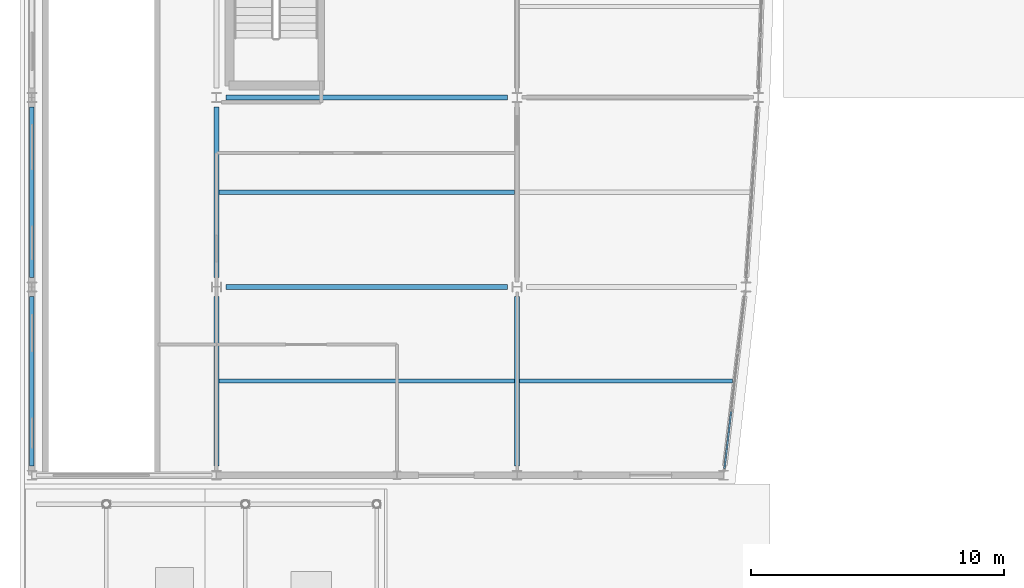
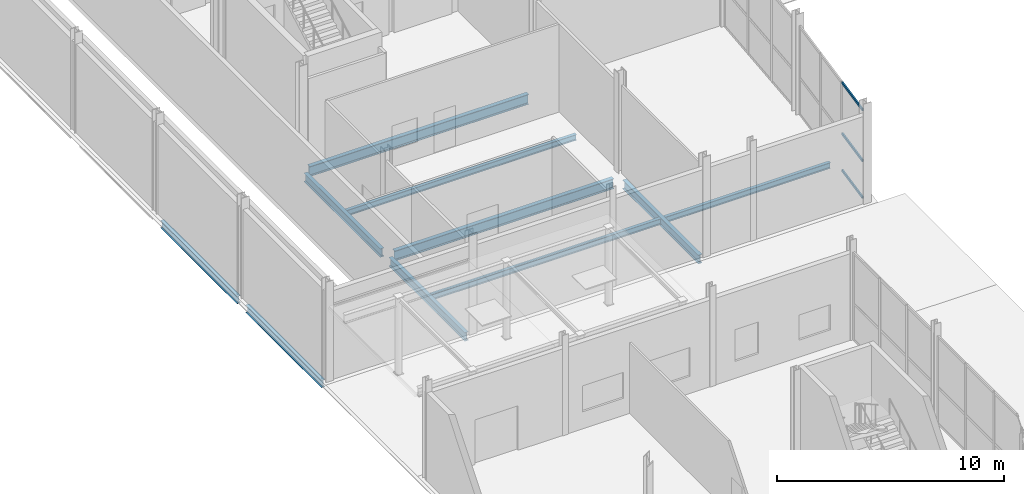
# One storey, part 24 of 83: 10 beams, 3 members, 1 element without a shape of its own.
"""IFC4 building model written with IfcOpenShell, lengths in metres."""

from ifc_helpers import new_model, si_unit, direction, frame, origin, origin_2d, place, context, subcontext, project, spatial, hollow_rectangle, i_section, extrude, material, layer, layer_set, material_profile, profile_set, type_object, element, aggregate, save


model = new_model("IFC4")

# Units and contexts
model_context = context("Model", 3, precision=1e-05, world=origin(), true_north=direction((0.0, 1.0)))
body_context = subcontext(model_context, "Body", "Model", "MODEL_VIEW")
ifc_project = project(units=[si_unit("LENGTHUNIT", "METRE"), si_unit("AREAUNIT", "SQUARE_METRE"), si_unit("VOLUMEUNIT", "CUBIC_METRE"), si_unit("PLANEANGLEUNIT", "RADIAN"), si_unit("MASSUNIT", "GRAM", prefix="KILO")], contexts=[model_context])

# Site, building, storey
site_placement = place(None, origin())
site = spatial("IfcSite", under=ifc_project, at=site_placement, CompositionType="ELEMENT")
building_placement = place(site_placement, origin())
building = spatial("IfcBuilding", under=site, at=building_placement, Name="Quillay Park Conservatory", CompositionType="ELEMENT")
storey_placement = place(building_placement, origin())
storey = spatial("IfcBuildingStorey", under=building, at=storey_placement, Name="L00", CompositionType="ELEMENT", Elevation=0.0)

# Beams
ifc_material_1 = material(Name="Steel ASTM A992 Grade 50", Category="steel")
ifc_material_profile_1 = material_profile(ifc_material_1, i_section(OverallWidth=0.166015625, OverallDepth=0.31298828125, WebThickness=0.006591796875, FlangeThickness=0.01123046875, FilletRadius=0.010009765625, at=origin_2d()), Name="W310x45")
ifc_profile_set_1 = profile_set([ifc_material_profile_1], Name="Steel ASTM A992 Grade 50")
beam_type_1 = type_object("IfcBeamType", Name="COMPOSITE FLOOR JOIST W310 X45", PredefinedType="JOIST", material=ifc_profile_set_1)
beam_1_placement = place(storey_placement, frame((19.845947265625, 66.77490234375, -0.406494140625), z_axis=(1.0, 0.0, 0.0), x_axis=(0.0, 1.0, 0.0)))
element("IfcBeam", 1, at=beam_1_placement, inside=storey, type_object=beam_type_1, Name="L00 beam BM-J-0071", PredefinedType="JOIST", context=body_context, shape_type="SweptSolid", body=[
    extrude(i_section(OverallWidth=0.166015625, OverallDepth=0.31298828125, WebThickness=0.006591796875, FlangeThickness=0.01123046875, FilletRadius=0.010009765625, at=origin_2d()), origin(), (0.0, 0.0, 1.0), 8.426513671875),
])
for number, where, z_axis, x_axis, name in (
    (2, (7.946044921875, 66.77490234375, -0.406494140625), (1.0, 0.0, 0.0), (0.0, 1.0, 0.0), "L00 beam BM-J-0072"),
    (3, (7.946044921875, 74.25, -0.406494140625), (1.0, 0.0, 0.0), (0.0, 1.0, 0.0), "L00 beam BM-J-0078"),
):
    element("IfcBeam", number, at=place(storey_placement, frame(where, z_axis=z_axis, x_axis=x_axis)), inside=storey, type_object=beam_type_1, Name=name, PredefinedType="JOIST", context=body_context, shape_type="SweptSolid", body=[
        extrude(i_section(OverallWidth=0.166015625, OverallDepth=0.31298828125, WebThickness=0.006591796875, FlangeThickness=0.01123046875, FilletRadius=0.010009765625, at=origin_2d()), origin(), (0.0, 0.0, 1.0), 11.7080078125),
    ])

# Curtain wall, members
ifc_material_2 = material(Name="Thermally Broken Anodised Aluminium 6063-T6", Category="aluminium")
ifc_layer = layer(ifc_material_2, 0.179931640625)
ifc_layer_set = layer_set([ifc_layer], Name="UNITISED CURTAIN WALL TOWER (Thermally Broken Anodised Aluminium 6063-T6)")
curtain_wall_type = type_object("IfcCurtainWallType", Name="UNITISED CURTAIN WALL TOWER", PredefinedType="USERDEFINED", material=ifc_layer_set)
curtain_wall_placement = place(storey_placement, origin())
curtain_wall = element("IfcCurtainWall", 4, at=curtain_wall_placement, inside=storey, type_object=curtain_wall_type, Name="L00 Unitised Curtain Wall 001", ObjectType="UNITISED CURTAIN WALL", PredefinedType="USERDEFINED")
ifc_material_3 = material(Name="Thermally Broken Anodised Aluminium 6063-T6", Category="aluminium")
ifc_material_profile_2 = material_profile(ifc_material_3, hollow_rectangle(XDim=0.070068359375, YDim=0.1298828125, WallThickness=0.003173828125, at=origin_2d()), Name="AL70x130x3.2")
ifc_profile_set_2 = profile_set([ifc_material_profile_2], Name="Thermally Broken Anodised Aluminium 6063-T6")
member_type = type_object("IfcMemberType", Name="CURTAIN WALL TRANSOM 70 X130", PredefinedType="USERDEFINED", material=ifc_profile_set_2)
member_1_placement = place(storey_placement, frame((28.220458984375, 65.564697265625, 0.034912109375), z_axis=(-0.116672168054, -0.993170481439, 0.0), x_axis=(0.993170481439, -0.116672168054, 0.0)))
member_1 = element("IfcMember", 5, at=member_1_placement, type_object=member_type, Name="CW-T1 transom 3.1", ObjectType="TRANSOM", PredefinedType="USERDEFINED", context=body_context, shape_type="SweptSolid", body=[
    extrude(hollow_rectangle(XDim=0.070068359375, YDim=0.1298828125, WallThickness=0.003173828125, at=origin_2d()), origin(), (0.0, 0.0, 1.0), 2.261962890625),
])
member_2_placement = place(storey_placement, frame((28.220458984375, 65.564697265625, 2.011474609375), z_axis=(-0.116672168054, -0.993170481439, 0.0), x_axis=(0.993170481439, -0.116672168054, 0.0)))
member_2 = element("IfcMember", 6, at=member_2_placement, type_object=member_type, Name="CW-T1 transom 3.2", ObjectType="TRANSOM", PredefinedType="USERDEFINED", context=body_context, shape_type="SweptSolid", body=[
    extrude(hollow_rectangle(XDim=0.070068359375, YDim=0.1298828125, WallThickness=0.003173828125, at=origin_2d()), origin(), (0.0, 0.0, 1.0), 2.261962890625),
])
member_3_placement = place(storey_placement, frame((28.220458984375, 65.564697265625, 4.75390625), z_axis=(-0.116672168054, -0.993170481439, 0.0), x_axis=(0.993170481439, -0.116672168054, 0.0)))
member_3 = element("IfcMember", 7, at=member_3_placement, type_object=member_type, Name="CW-T1 transom 3.3", ObjectType="TRANSOM", PredefinedType="USERDEFINED", context=body_context, shape_type="SweptSolid", body=[
    extrude(hollow_rectangle(XDim=0.070068359375, YDim=0.1298828125, WallThickness=0.003173828125, at=origin_2d()), origin(), (0.0, 0.0, 1.0), 2.261962890625),
])
aggregate(curtain_wall, [member_1, member_2, member_3])

# Beams
ifc_material_4 = material(Name="Steel ASTM A992 Grade 50", Category="steel")
ifc_material_profile_3 = material_profile(ifc_material_4, i_section(OverallWidth=0.179931640625, OverallDepth=0.4130859375, WebThickness=0.009765625, FlangeThickness=0.01611328125, FilletRadius=0.011962890625, at=origin_2d()), Name="W410x74")
ifc_profile_set_3 = profile_set([ifc_material_profile_3], Name="Steel ASTM A992 Grade 50")
beam_type_2 = type_object("IfcBeamType", Name="PERIMETER SPANDREL BEAM W410 X74", PredefinedType="SPANDREL", material=ifc_profile_set_3)
beam_2_placement = place(storey_placement, frame((0.550048828125, 63.425048828125, -0.45654296875), z_axis=(0.0, 1.0, 0.0), x_axis=(-1.0, 0.0, 0.0)))
element("IfcBeam", 8, at=beam_2_placement, inside=storey, type_object=beam_type_2, Name="L00 beam BM-SPW-0067", PredefinedType="SPANDREL", context=body_context, shape_type="SweptSolid", body=[
    extrude(i_section(OverallWidth=0.179931640625, OverallDepth=0.4130859375, WebThickness=0.009765625, FlangeThickness=0.01611328125, FilletRadius=0.011962890625, at=origin_2d()), origin(), (0.0, 0.0, 1.0), 6.699951171875),
])
beam_3_placement = place(storey_placement, frame((0.550048828125, 70.875, -0.45654296875), z_axis=(0.0, 1.0, 0.0), x_axis=(-1.0, 0.0, 0.0)))
element("IfcBeam", 9, at=beam_3_placement, inside=storey, type_object=beam_type_2, Name="L00 beam BM-SPW-0073", PredefinedType="SPANDREL", context=body_context, shape_type="SweptSolid", body=[
    extrude(i_section(OverallWidth=0.179931640625, OverallDepth=0.4130859375, WebThickness=0.009765625, FlangeThickness=0.01611328125, FilletRadius=0.011962890625, at=origin_2d()), origin(), (0.0, 0.0, 1.0), 6.75),
])
ifc_material_5 = material(Name="Steel ASTM A992 Grade 50", Category="steel")
ifc_material_profile_4 = material_profile(ifc_material_5, i_section(OverallWidth=0.19189453125, OverallDepth=0.462890625, WebThickness=0.010498046875, FlangeThickness=0.017578125, FilletRadius=0.012939453125, at=origin_2d()), Name="W460x89")
ifc_profile_set_4 = profile_set([ifc_material_profile_4], Name="Steel ASTM A992 Grade 50")
beam_type_3 = type_object("IfcBeamType", Name="PRIMARY FLOOR GIRDER W460 X89", PredefinedType="BEAM", material=ifc_profile_set_4)
for number, where, z_axis, x_axis, name in (
    (10, (7.85009765625, 63.425048828125, -0.4814453125), (0.0, 1.0, 0.0), (-1.0, 0.0, 0.0), "L00 beam BM-GNS-0069"),
    (11, (19.75, 63.425048828125, -0.4814453125), (0.0, 1.0, 0.0), (-1.0, 0.0, 0.0), "L00 beam BM-GNS-0070"),
):
    element("IfcBeam", number, at=place(storey_placement, frame(where, z_axis=z_axis, x_axis=x_axis)), inside=storey, type_object=beam_type_3, Name=name, PredefinedType="BEAM", context=body_context, shape_type="SweptSolid", body=[
        extrude(i_section(OverallWidth=0.19189453125, OverallDepth=0.462890625, WebThickness=0.010498046875, FlangeThickness=0.017578125, FilletRadius=0.012939453125, at=origin_2d()), origin(), (0.0, 0.0, 1.0), 6.699951171875),
    ])
beam_4_placement = place(storey_placement, frame((7.85009765625, 70.875, -0.4814453125), z_axis=(0.0, 1.0, 0.0), x_axis=(-1.0, 0.0, 0.0)))
element("IfcBeam", 12, at=beam_4_placement, inside=storey, type_object=beam_type_3, Name="L00 beam BM-GNS-0075", PredefinedType="BEAM", context=body_context, shape_type="SweptSolid", body=[
    extrude(i_section(OverallWidth=0.19189453125, OverallDepth=0.462890625, WebThickness=0.010498046875, FlangeThickness=0.017578125, FilletRadius=0.012939453125, at=origin_2d()), origin(), (0.0, 0.0, 1.0), 6.75),
])
ifc_material_6 = material(Name="Steel ASTM A992 Grade 50", Category="steel")
ifc_material_profile_5 = material_profile(ifc_material_6, i_section(OverallWidth=0.2109375, OverallDepth=0.5390625, WebThickness=0.01171875, FlangeThickness=0.018798828125, FilletRadius=0.013916015625, at=origin_2d()), Name="W530x109")
ifc_profile_set_5 = profile_set([ifc_material_profile_5], Name="Steel ASTM A992 Grade 50")
beam_type_4 = type_object("IfcBeamType", Name="PRIMARY FLOOR GIRDER W530 X109", PredefinedType="BEAM", material=ifc_profile_set_5)
for number, where, z_axis, x_axis, name in (
    (13, (8.22509765625, 70.5, -0.51953125), (1.0, 0.0, 0.0), (0.0, 1.0, 0.0), "L00 beam BM-G-0053"),
    (14, (8.22509765625, 78.0, -0.51953125), (1.0, 0.0, 0.0), (0.0, 1.0, 0.0), "L00 beam BM-G-0055"),
):
    element("IfcBeam", number, at=place(storey_placement, frame(where, z_axis=z_axis, x_axis=x_axis)), inside=storey, type_object=beam_type_4, Name=name, PredefinedType="BEAM", context=body_context, shape_type="SweptSolid", body=[
        extrude(i_section(OverallWidth=0.2109375, OverallDepth=0.5390625, WebThickness=0.01171875, FlangeThickness=0.018798828125, FilletRadius=0.013916015625, at=origin_2d()), origin(), (0.0, 0.0, 1.0), 11.14990234375),
    ])

save(model, "model.ifc")
